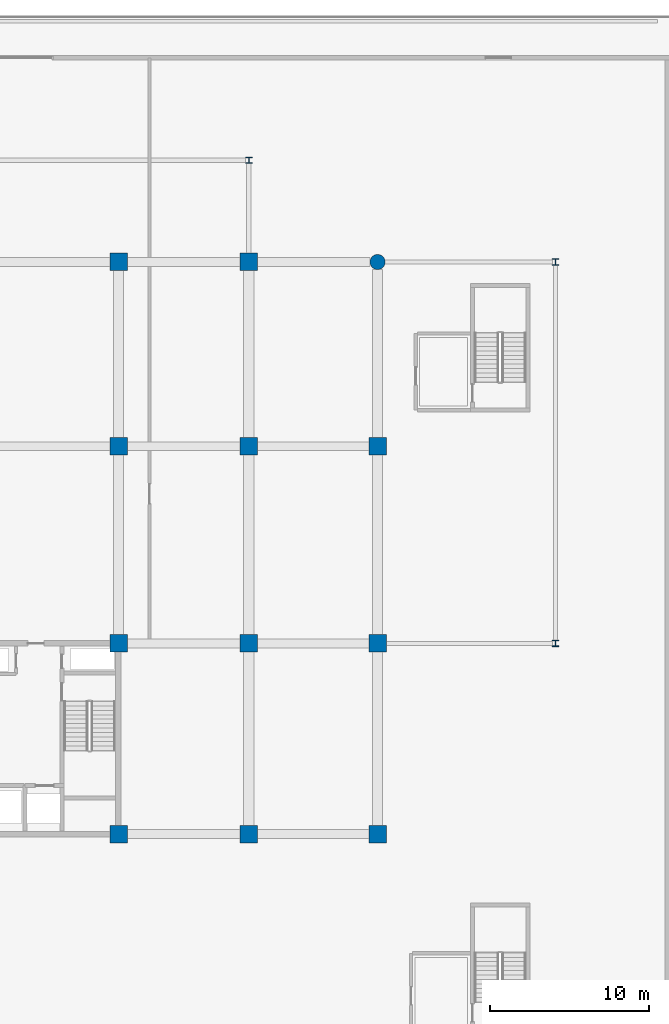
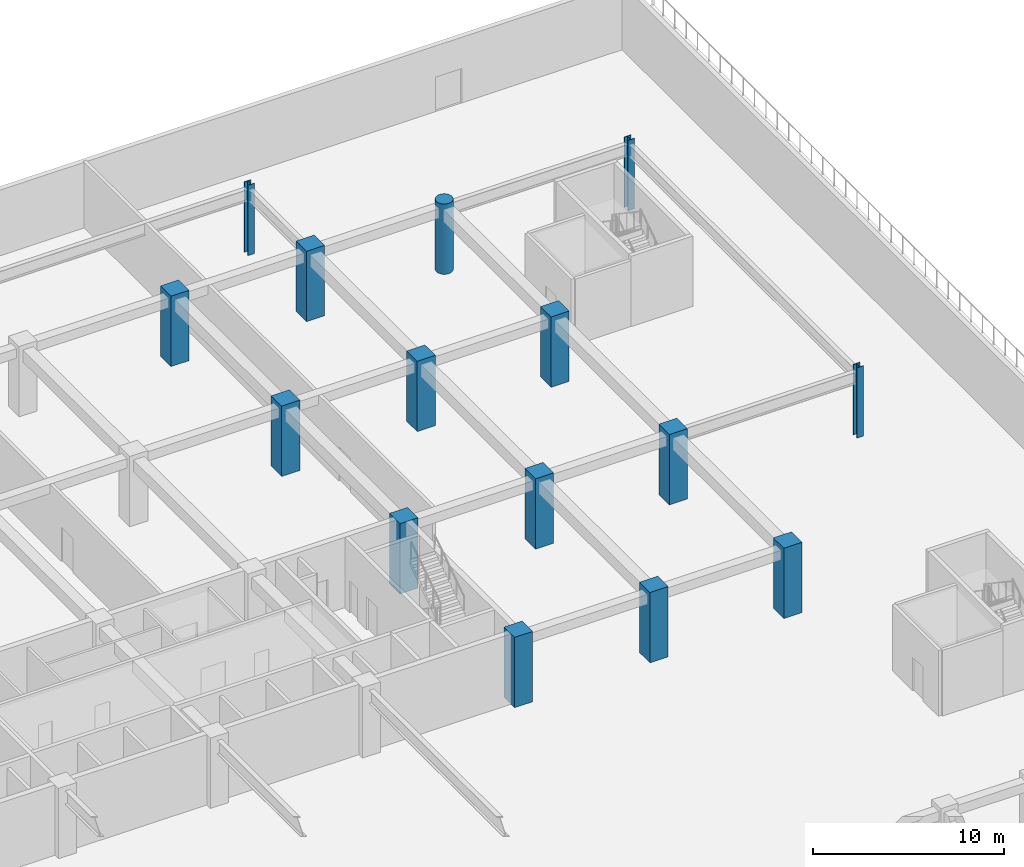
# One storey, part 5 of 43: 15 columns.
"""IFC4 building model written with IfcOpenShell, lengths in metres."""

from ifc_helpers import new_model, si_unit, direction, frame, origin, origin_2d, place, context, subcontext, project, spatial, rectangle, circle, i_section, extrude, material, material_profile, profile_set, type_object, element, save


model = new_model("IFC4")

# Units and contexts
model_context = context("Model", 3, precision=1e-05, world=origin(), true_north=direction((0.0, 1.0)))
body_context = subcontext(model_context, "Body", "Model", "MODEL_VIEW")
ifc_project = project(units=[si_unit("LENGTHUNIT", "METRE"), si_unit("AREAUNIT", "SQUARE_METRE"), si_unit("VOLUMEUNIT", "CUBIC_METRE"), si_unit("PLANEANGLEUNIT", "RADIAN"), si_unit("MASSUNIT", "GRAM", prefix="KILO")], contexts=[model_context])

# Site, building, storey
site_placement = place(None, origin())
site = spatial("IfcSite", under=ifc_project, at=site_placement, CompositionType="ELEMENT")
building_placement = place(site_placement, origin())
building = spatial("IfcBuilding", under=site, at=building_placement, Name="Korimba Cascade Residences", CompositionType="ELEMENT")
storey_placement = place(building_placement, frame((0.0, 0.0, 10.0)))
storey = spatial("IfcBuildingStorey", under=building, at=storey_placement, Name="L02", CompositionType="ELEMENT", Elevation=10.0)

# Columns
ifc_material_1 = material(Name="Concrete C80/95", Category="concrete")
ifc_material_profile_1 = material_profile(ifc_material_1, rectangle(XDim=1.10009765625, YDim=1.10009765625, at=origin_2d()), Name="Concrete C80/95")
ifc_profile_set_1 = profile_set([ifc_material_profile_1], Name="Concrete C80/95")
column_type_1 = type_object("IfcColumnType", Name="COL-RC-1100", PredefinedType="COLUMN", material=ifc_profile_set_1)
for number, where, z_axis, x_axis, name in (
    (1, (112.10009765625, 55.199951171875, 0.0), (0.0, 0.0, 1.0), (1.0, 0.0, 0.0), "L02 Tower 1 Column 7.1"),
    (2, (112.10009765625, 67.199951171875, 0.0), (0.0, 0.0, 1.0), (1.0, 0.0, 0.0), "L02 Tower 1 Column 7.2"),
    (3, (112.10009765625, 79.60009765625, 0.0), (0.0, 0.0, 1.0), (1.0, 0.0, 0.0), "L02 Tower 1 Column 7.3"),
    (4, (112.10009765625, 91.199951171875, 0.0), (0.0, 0.0, 1.0), (1.0, 0.0, 0.0), "L02 Tower 1 Column 7.4"),
    (5, (120.300048828125, 55.199951171875, 0.0), (0.0, 0.0, 1.0), (1.0, 0.0, 0.0), "L02 Tower 1 Column 8.1"),
    (6, (120.300048828125, 67.199951171875, 0.0), (0.0, 0.0, 1.0), (1.0, 0.0, 0.0), "L02 Tower 1 Column 8.2"),
    (7, (120.300048828125, 79.60009765625, 0.0), (0.0, 0.0, 1.0), (1.0, 0.0, 0.0), "L02 Tower 1 Column 8.3"),
    (8, (120.300048828125, 91.199951171875, 0.0), (0.0, 0.0, 1.0), (1.0, 0.0, 0.0), "L02 Tower 1 Column 8.4"),
    (9, (128.39990234375, 55.199951171875, 0.0), (0.0, 0.0, 1.0), (1.0, 0.0, 0.0), "L02 Tower 1 Column 9.1"),
    (10, (128.39990234375, 67.199951171875, 0.0), (0.0, 0.0, 1.0), (1.0, 0.0, 0.0), "L02 Tower 1 Column 9.2"),
    (11, (128.39990234375, 79.60009765625, 0.0), (0.0, 0.0, 1.0), (1.0, 0.0, 0.0), "L02 Tower 1 Column 9.3"),
):
    element("IfcColumn", number, at=place(storey_placement, frame(where, z_axis=z_axis, x_axis=x_axis)), inside=storey, type_object=column_type_1, Name=name, PredefinedType="COLUMN", context=body_context, shape_type="SweptSolid", body=[
        extrude(rectangle(XDim=1.10009765625, YDim=1.10009765625, at=origin_2d()), origin(), (0.0, 0.0, 1.0), 4.5),
    ])
ifc_material_profile_2 = material_profile(ifc_material_1, circle(Radius=0.47509765625, at=origin_2d()), Name="Concrete C80/95")
ifc_profile_set_2 = profile_set([ifc_material_profile_2], Name="Concrete C80/95")
column_type_2 = type_object("IfcColumnType", Name="COL-RC-D950", PredefinedType="COLUMN", material=ifc_profile_set_2)
column_placement = place(storey_placement, frame((128.39990234375, 91.199951171875, 0.0), z_axis=(0.0, 0.0, 1.0), x_axis=(1.0, 0.0, 0.0)))
element("IfcColumn", 12, at=column_placement, inside=storey, type_object=column_type_2, Name="L02 Tower 1 Column 9.4", PredefinedType="COLUMN", context=body_context, shape_type="SweptSolid", body=[
    extrude(circle(Radius=0.47509765625, at=origin_2d()), origin(), (0.0, 0.0, 1.0), 4.5),
])
ifc_material_2 = material(Name="Steel S355", Category="steel")
ifc_material_profile_3 = material_profile(ifc_material_2, i_section(OverallWidth=0.39892578125, OverallDepth=0.3935546875, WebThickness=0.022705078125, FlangeThickness=0.03662109375, FilletRadius=0.01513671875, at=origin_2d()), Name="Steel S355")
ifc_profile_set_3 = profile_set([ifc_material_profile_3], Name="Steel S355")
column_type_3 = type_object("IfcColumnType", Name="COL-STL-UC287", PredefinedType="COLUMN", material=ifc_profile_set_3)
for number, where, z_axis, x_axis, name in (
    (13, (139.60009765625, 67.199951171875, 0.0), (0.0, 0.0, 1.0), (1.0, 0.0, 0.0), "L02 Podium Column PCE3"),
    (14, (139.60009765625, 91.199951171875, 0.0), (0.0, 0.0, 1.0), (1.0, 0.0, 0.0), "L02 Podium Column PCE4"),
    (15, (120.300048828125, 97.60009765625, 0.0), (0.0, 0.0, 1.0), (1.0, 0.0, 0.0), "L02 Podium Column PCN3"),
):
    element("IfcColumn", number, at=place(storey_placement, frame(where, z_axis=z_axis, x_axis=x_axis)), inside=storey, type_object=column_type_3, Name=name, PredefinedType="COLUMN", context=body_context, shape_type="SweptSolid", body=[
        extrude(i_section(OverallWidth=0.39892578125, OverallDepth=0.3935546875, WebThickness=0.022705078125, FlangeThickness=0.03662109375, FilletRadius=0.01513671875, at=origin_2d()), origin(), (0.0, 0.0, 1.0), 4.5),
    ])

save(model, "model.ifc")
